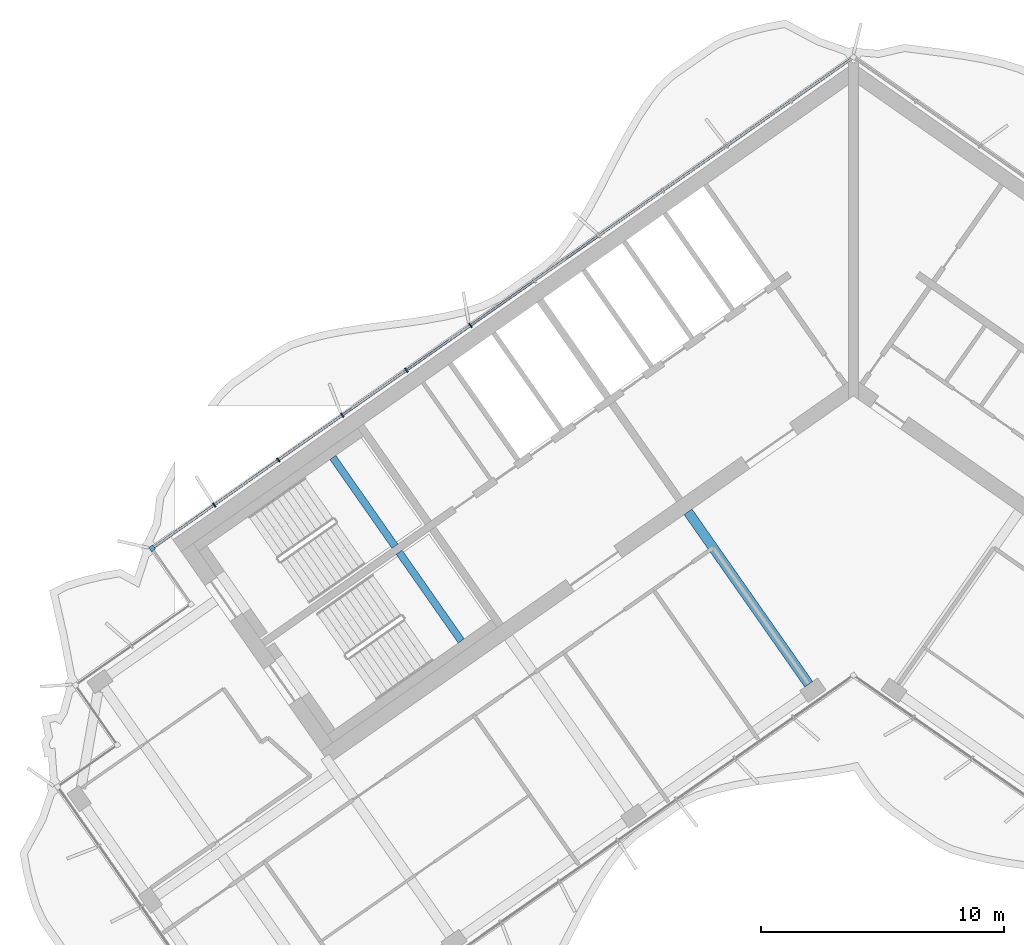
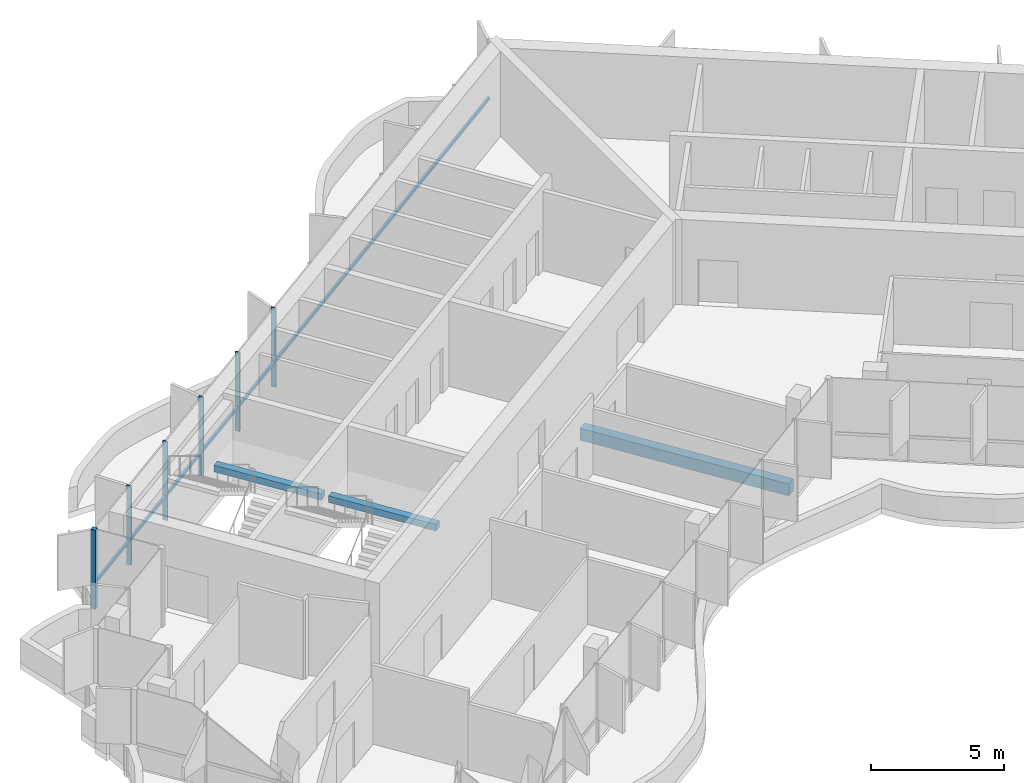
# One storey, part 3 of 20: 7 members, 3 beams, 1 element without a shape of its own.
"""IFC4 building model written with IfcOpenShell, lengths in metres."""

from ifc_helpers import new_model, si_unit, direction, frame, origin, origin_2d, place, context, subcontext, project, spatial, rectangle, extrude, material, material_profile, profile_set, type_object, element, aggregate, save


model = new_model("IFC4")

# Units and contexts
model_context = context("Model", 3, precision=1e-05, world=origin(), true_north=direction((0.0, 1.0)))
body_context = subcontext(model_context, "Body", "Model", "MODEL_VIEW")
ifc_project = project(units=[si_unit("LENGTHUNIT", "METRE"), si_unit("AREAUNIT", "SQUARE_METRE"), si_unit("VOLUMEUNIT", "CUBIC_METRE"), si_unit("PLANEANGLEUNIT", "RADIAN"), si_unit("MASSUNIT", "GRAM", prefix="KILO")], contexts=[model_context])

# Site, building, storey
site_placement = place(None, origin())
site = spatial("IfcSite", under=ifc_project, at=site_placement, CompositionType="ELEMENT")
building_placement = place(site_placement, origin())
building = spatial("IfcBuilding", under=site, at=building_placement, Name="Tel Ilan Convention Tower", CompositionType="ELEMENT")
storey_placement = place(building_placement, frame((0.0, 0.0, 237.10009765625)))
storey = spatial("IfcBuildingStorey", under=building, at=storey_placement, Name="L55", CompositionType="ELEMENT", Elevation=237.10009765625)

# Beam
ifc_material_1 = material(Name="Concrete C40/50", Category="concrete")
ifc_material_profile_1 = material_profile(ifc_material_1, rectangle(XDim=0.39990234375, YDim=0.550048828125, at=origin_2d()), Name="RC 400x550")
ifc_profile_set_1 = profile_set([ifc_material_profile_1], Name="Concrete C40/50")
beam_type_1 = type_object("IfcBeamType", Name="Beam RC 400x550 Concrete C40/50", PredefinedType="BEAM", material=ifc_profile_set_1)
beam_1_placement = place(storey_placement, frame((-1.83740234375, -13.06689453125, -0.55517578125), z_axis=(-0.573574099654, 0.819153680457, 0.0), x_axis=(-0.819153680457, -0.573574099654, 0.0)))
element("IfcBeam", 1, at=beam_1_placement, inside=storey, type_object=beam_type_1, Name="L55 beam W-W-F1-core", PredefinedType="BEAM", context=body_context, shape_type="SweptSolid", body=[
    extrude(rectangle(XDim=0.39990234375, YDim=0.550048828125, at=origin_2d()), origin(), (0.0, 0.0, 1.0), 8.64990234375),
])

# Curtain wall, members
ifc_material_2 = material(Name="Aluminium, bronze anodised", Category="aluminium")
curtain_wall_type = type_object("IfcCurtainWallType", Name="CW2 STICK CURTAIN WALL, SPANDREL PANELS", PredefinedType="NOTDEFINED", material=ifc_material_2)
curtain_wall_placement = place(storey_placement, origin())
curtain_wall = element("IfcCurtainWall", 2, at=curtain_wall_placement, inside=storey, type_object=curtain_wall_type, Name="Curtain wall CW2-42.01", PredefinedType="NOTDEFINED")
ifc_material_3 = material(Name="Aluminium, bronze anodised", Category="aluminium")
ifc_material_profile_2 = material_profile(ifc_material_3, rectangle(XDim=0.199951171875, YDim=0.199951171875, at=origin_2d()), Name="CW CORNER MULLION 200x200")
ifc_profile_set_2 = profile_set([ifc_material_profile_2], Name="Aluminium, bronze anodised")
member_type_1 = type_object("IfcMemberType", Name="CW CORNER MULLION 200x200", PredefinedType="MULLION", material=ifc_profile_set_2)
member_1_placement = place(storey_placement, frame((-28.819580078125, -7.483642578125, 0.0), z_axis=(0.0, 0.0, 1.0), x_axis=(-0.819152044289, -0.573576436351, 0.0)))
member_1 = element("IfcMember", 3, at=member_1_placement, type_object=member_type_1, Name="Corner mullion", PredefinedType="MULLION", context=body_context, shape_type="SweptSolid", body=[
    extrude(rectangle(XDim=0.199951171875, YDim=0.199951171875, at=origin_2d()), origin(), (0.0, 0.0, 1.0), 3.619873046875),
])
ifc_material_4 = material(Name="Aluminium, bronze anodised", Category="aluminium")
ifc_material_profile_3 = material_profile(ifc_material_4, rectangle(XDim=0.06005859375, YDim=0.199951171875, at=origin_2d()), Name="CW MULLION 60x200")
ifc_profile_set_3 = profile_set([ifc_material_profile_3], Name="Aluminium, bronze anodised")
member_type_2 = type_object("IfcMemberType", Name="CW MULLION 60x200", PredefinedType="MULLION", material=ifc_profile_set_3)
member_2_placement = place(storey_placement, frame((-15.73828125, 1.676025390625, 0.0), z_axis=(0.0, 0.0, 1.0), x_axis=(-0.819152044289, -0.573576436351, 0.0)))
member_2 = element("IfcMember", 4, at=member_2_placement, type_object=member_type_2, Name="Mullion", PredefinedType="MULLION", context=body_context, shape_type="SweptSolid", body=[
    extrude(rectangle(XDim=0.06005859375, YDim=0.199951171875, at=origin_2d()), origin(), (0.0, 0.0, 1.0), 3.619873046875),
])
member_3_placement = place(storey_placement, frame((-18.37109375, -0.16748046875, 0.0), z_axis=(0.0, 0.0, 1.0), x_axis=(-0.819152044289, -0.573576436351, 0.0)))
member_3 = element("IfcMember", 5, at=member_3_placement, type_object=member_type_2, Name="Mullion", PredefinedType="MULLION", context=body_context, shape_type="SweptSolid", body=[
    extrude(rectangle(XDim=0.06005859375, YDim=0.199951171875, at=origin_2d()), origin(), (0.0, 0.0, 1.0), 3.619873046875),
])
member_4_placement = place(storey_placement, frame((-21.003662109375, -2.0107421875, 0.0), z_axis=(0.0, 0.0, 1.0), x_axis=(-0.819152044289, -0.573576436351, 0.0)))
member_4 = element("IfcMember", 6, at=member_4_placement, type_object=member_type_2, Name="Mullion", PredefinedType="MULLION", context=body_context, shape_type="SweptSolid", body=[
    extrude(rectangle(XDim=0.06005859375, YDim=0.199951171875, at=origin_2d()), origin(), (0.0, 0.0, 1.0), 3.619873046875),
])
member_5_placement = place(storey_placement, frame((-23.63623046875, -3.854248046875, 0.0), z_axis=(0.0, 0.0, 1.0), x_axis=(-0.819152044289, -0.573576436351, 0.0)))
member_5 = element("IfcMember", 7, at=member_5_placement, type_object=member_type_2, Name="Mullion", PredefinedType="MULLION", context=body_context, shape_type="SweptSolid", body=[
    extrude(rectangle(XDim=0.06005859375, YDim=0.199951171875, at=origin_2d()), origin(), (0.0, 0.0, 1.0), 3.619873046875),
])
member_6_placement = place(storey_placement, frame((-26.268798828125, -5.697509765625, 0.0), z_axis=(0.0, 0.0, 1.0), x_axis=(-0.819152044289, -0.573576436351, 0.0)))
member_6 = element("IfcMember", 8, at=member_6_placement, type_object=member_type_2, Name="Mullion", PredefinedType="MULLION", context=body_context, shape_type="SweptSolid", body=[
    extrude(rectangle(XDim=0.06005859375, YDim=0.199951171875, at=origin_2d()), origin(), (0.0, 0.0, 1.0), 3.619873046875),
])
ifc_material_5 = material(Name="Aluminium, bronze anodised", Category="aluminium")
ifc_material_profile_4 = material_profile(ifc_material_5, rectangle(XDim=0.10009765625, YDim=0.1201171875, at=origin_2d()), Name="CW TRANSOM 100x120")
ifc_profile_set_4 = profile_set([ifc_material_profile_4], Name="Aluminium, bronze anodised")
member_type_3 = type_object("IfcMemberType", Name="CW TRANSOM 100x120", PredefinedType="USERDEFINED", material=ifc_profile_set_4)
member_7_placement = place(storey_placement, frame((-0.1064453125, 12.62158203125, 1.099853515625), z_axis=(-0.819150201937, -0.573579067494, 0.0), x_axis=(0.573579067494, -0.819150201937, 0.0)))
member_7 = element("IfcMember", 9, at=member_7_placement, type_object=member_type_3, Name="Transom", ObjectType="TRANSOM", PredefinedType="USERDEFINED", context=body_context, shape_type="SweptSolid", body=[
    extrude(rectangle(XDim=0.10009765625, YDim=0.1201171875, at=origin_2d()), origin(), (0.0, 0.0, 1.0), 34.9521484375),
])
aggregate(curtain_wall, [member_2, member_3, member_4, member_5, member_6, member_1, member_7])

# Beams
ifc_material_6 = material(Name="Concrete C40/50", Category="concrete")
ifc_material_profile_5 = material_profile(ifc_material_6, rectangle(XDim=0.300048828125, YDim=0.300048828125, at=origin_2d()), Name="RC 300x300")
ifc_profile_set_5 = profile_set([ifc_material_profile_5], Name="Concrete C40/50")
beam_type_2 = type_object("IfcBeamType", Name="Landing Beam RC 300x300 Concrete C40/50", PredefinedType="BEAM", material=ifc_profile_set_5)
beam_2_placement = place(storey_placement, frame((-18.841796875, -7.394287109375, 1.599853515625), z_axis=(-0.573547030514, 0.819172633691, 0.0), x_axis=(-0.819172633691, -0.573547030514, 0.0)))
element("IfcBeam", 10, at=beam_2_placement, inside=storey, type_object=beam_type_2, Name="S1 landing beam L55.1", PredefinedType="BEAM", context=body_context, shape_type="SweptSolid", body=[
    extrude(rectangle(XDim=0.300048828125, YDim=0.300048828125, at=origin_2d()), origin(), (0.0, 0.0, 1.0), 4.449951171875),
])
beam_3_placement = place(storey_placement, frame((-16.1171875, -11.285400390625, 1.599853515625), z_axis=(-0.573583844845, 0.819146856756, 0.0), x_axis=(-0.819146856756, -0.573583844845, 0.0)))
element("IfcBeam", 11, at=beam_3_placement, inside=storey, type_object=beam_type_2, Name="S2 landing beam L55.1", PredefinedType="BEAM", context=body_context, shape_type="SweptSolid", body=[
    extrude(rectangle(XDim=0.300048828125, YDim=0.300048828125, at=origin_2d()), origin(), (0.0, 0.0, 1.0), 4.4501953125),
])

save(model, "model.ifc")
